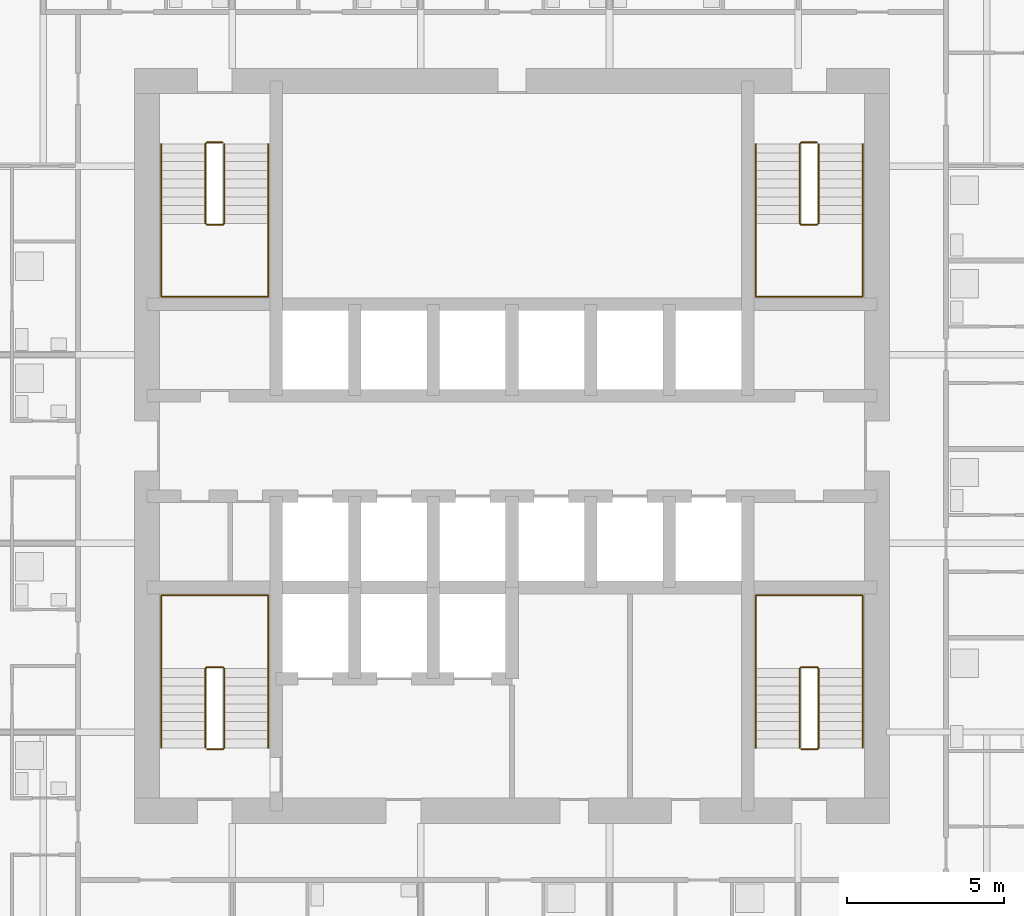
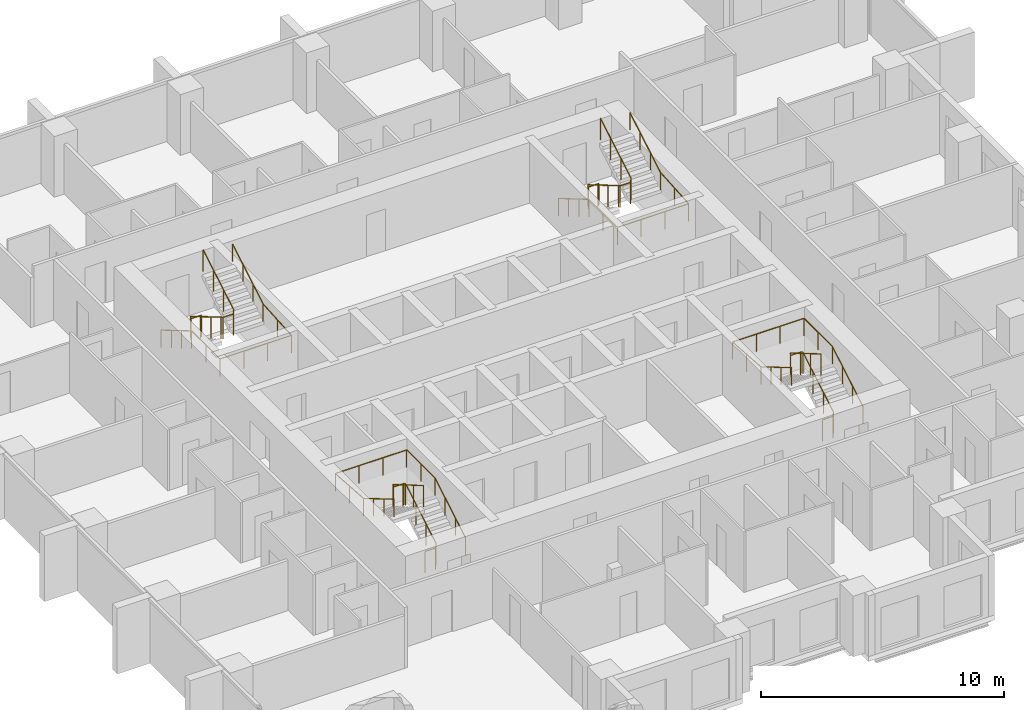
# One storey, part 10 of 11: 8 railings.
"""IFC4 building model written with IfcOpenShell, lengths in metres."""

from ifc_helpers import new_model, si_unit, direction, frame, origin, origin_2d, place, context, subcontext, project, spatial, circle, extrude, material, type_object, element, save


model = new_model("IFC4")

# Units and contexts
model_context = context("Model", 3, precision=1e-05, world=origin(), true_north=direction((0.0, 1.0)))
body_context = subcontext(model_context, "Body", "Model", "MODEL_VIEW")
ifc_project = project(units=[si_unit("LENGTHUNIT", "METRE"), si_unit("AREAUNIT", "SQUARE_METRE"), si_unit("VOLUMEUNIT", "CUBIC_METRE"), si_unit("PLANEANGLEUNIT", "RADIAN"), si_unit("MASSUNIT", "GRAM", prefix="KILO")], contexts=[model_context])

# Site, building, storey
site_placement = place(None, origin())
site = spatial("IfcSite", under=ifc_project, at=site_placement, CompositionType="ELEMENT")
building_placement = place(site_placement, origin())
building = spatial("IfcBuilding", under=site, at=building_placement, Name="Amberfall Residences", CompositionType="ELEMENT")
storey_placement = place(building_placement, frame((0.0, 0.0, 91.89990234375)))
storey = spatial("IfcBuildingStorey", under=building, at=storey_placement, Name="L24", CompositionType="ELEMENT", Elevation=91.89990234375)

# Railings
ifc_material = material(Name="Stainless steel 316", Category="steel")
railing_type_1 = type_object("IfcRailingType", Name="Stair guard 1100", PredefinedType="GUARDRAIL", material=ifc_material)
railing_1_placement = place(storey_placement, frame((64.800048828125, 35.85009765625, 0.0)))
element("IfcRailing", 1, at=railing_1_placement, inside=storey, type_object=railing_type_1, Name="L24 stair 1 guard", PredefinedType="GUARDRAIL", context=body_context, shape_type="SweptSolid", body=[
    extrude(circle(Radius=0.02392578125, at=origin_2d()), frame((0.0, 0.0, 1.076171875), z_axis=(1.0, 0.0, 0.0), x_axis=(0.0, 1.0, 0.0)), (0.0, 0.0, 1.0), 0.5),
    extrude(circle(Radius=0.02392578125, at=origin_2d()), frame((0.5, 0.0, 1.076171875), z_axis=(0.278810427259, 0.277450376394, 0.919394384522), x_axis=(-0.705375805398, 0.708833529934, 0.0)), (0.0, 0.0, 1.0), 0.179443359375),
    extrude(circle(Radius=0.02392578125, at=origin_2d()), frame((0.550048828125, 0.0498046875, 1.2412109375), z_axis=(0.0, 0.86152411907, 0.507716645641), x_axis=(-1.0, 0.0, 0.0)), (0.0, 0.0, 1.0), 2.925048828125),
    extrude(circle(Radius=0.02392578125, at=origin_2d()), frame((0.550048828125, 2.56982421875, 2.72607421875), z_axis=(-0.707106781187, 0.707106781187, 0.0), x_axis=(-0.707106781187, -0.707106781187, 0.0)), (0.0, 0.0, 1.0), 0.07080078125),
    extrude(circle(Radius=0.02392578125, at=origin_2d()), frame((0.5, 2.619873046875, 2.72607421875), z_axis=(-1.0, 0.0, 0.0), x_axis=(0.0, -1.0, 0.0)), (0.0, 0.0, 1.0), 0.5),
    extrude(circle(Radius=0.02392578125, at=origin_2d()), frame((0.0, 2.619873046875, 2.72607421875), z_axis=(-0.278705021027, -0.278705021027, 0.919046801044), x_axis=(0.707106781187, -0.707106781187, 0.0)), (0.0, 0.0, 1.0), 0.1796875),
    extrude(circle(Radius=0.02392578125, at=origin_2d()), frame((-0.050048828125, 2.56982421875, 2.89111328125), z_axis=(0.0, -0.861560626758, 0.507654692109), x_axis=(1.0, 0.0, 0.0)), (0.0, 0.0, 1.0), 2.925048828125),
    extrude(circle(Radius=0.02099609375, at=origin_2d()), origin(), (0.0, 0.0, 1.0), 1.052001953125),
    extrude(circle(Radius=0.02099609375, at=origin_2d()), frame((0.5, 0.0, 0.0)), (0.0, 0.0, 1.0), 1.052001953125),
    extrude(circle(Radius=0.02099609375, at=origin_2d()), frame((0.550048828125, 0.0498046875, 0.1650390625)), (0.0, 0.0, 1.0), 1.052001953125),
    extrude(circle(Radius=0.02099609375, at=origin_2d()), frame((0.550048828125, 0.889892578125, 0.66015625)), (0.0, 0.0, 1.0), 1.052001953125),
    extrude(circle(Radius=0.02099609375, at=origin_2d()), frame((0.550048828125, 1.729736328125, 1.155029296875)), (0.0, 0.0, 1.0), 1.052001953125),
    extrude(circle(Radius=0.02099609375, at=origin_2d()), frame((0.550048828125, 2.56982421875, 1.650146484375)), (0.0, 0.0, 1.0), 1.052001953125),
    extrude(circle(Radius=0.02099609375, at=origin_2d()), frame((0.5, 2.619873046875, 1.650146484375)), (0.0, 0.0, 1.0), 1.052001953125),
    extrude(circle(Radius=0.02099609375, at=origin_2d()), frame((0.0, 2.619873046875, 1.650146484375)), (0.0, 0.0, 1.0), 1.052001953125),
    extrude(circle(Radius=0.02099609375, at=origin_2d()), frame((-0.050048828125, 2.56982421875, 1.815185546875)), (0.0, 0.0, 1.0), 1.052001953125),
    extrude(circle(Radius=0.02099609375, at=origin_2d()), frame((-0.050048828125, 1.729736328125, 2.31005859375)), (0.0, 0.0, 1.0), 1.052001953125),
    extrude(circle(Radius=0.02099609375, at=origin_2d()), frame((-0.050048828125, 0.889892578125, 2.80517578125)), (0.0, 0.0, 1.0), 1.052001953125),
    extrude(circle(Radius=0.02099609375, at=origin_2d()), frame((-0.050048828125, 0.0498046875, 3.300048828125)), (0.0, 0.0, 1.0), 1.052001953125),
])
railing_2_placement = place(storey_placement, frame((83.699951171875, 35.85009765625, 0.0)))
element("IfcRailing", 2, at=railing_2_placement, inside=storey, type_object=railing_type_1, Name="L24 stair 2 guard", PredefinedType="GUARDRAIL", context=body_context, shape_type="SweptSolid", body=[
    extrude(circle(Radius=0.02392578125, at=origin_2d()), frame((0.0, 0.0, 1.076171875), z_axis=(1.0, 0.0, 0.0), x_axis=(0.0, 1.0, 0.0)), (0.0, 0.0, 1.0), 0.5),
    extrude(circle(Radius=0.02392578125, at=origin_2d()), frame((0.5, 0.0, 1.076171875), z_axis=(0.278810427259, 0.277450376394, 0.919394384522), x_axis=(-0.705375805398, 0.708833529934, 0.0)), (0.0, 0.0, 1.0), 0.179443359375),
    extrude(circle(Radius=0.02392578125, at=origin_2d()), frame((0.550048828125, 0.0498046875, 1.2412109375), z_axis=(0.0, 0.86152411907, 0.507716645641), x_axis=(-1.0, 0.0, 0.0)), (0.0, 0.0, 1.0), 2.925048828125),
    extrude(circle(Radius=0.02392578125, at=origin_2d()), frame((0.550048828125, 2.56982421875, 2.72607421875), z_axis=(-0.707106781187, 0.707106781187, 0.0), x_axis=(-0.707106781187, -0.707106781187, 0.0)), (0.0, 0.0, 1.0), 0.07080078125),
    extrude(circle(Radius=0.02392578125, at=origin_2d()), frame((0.5, 2.619873046875, 2.72607421875), z_axis=(-1.0, 0.0, 0.0), x_axis=(0.0, -1.0, 0.0)), (0.0, 0.0, 1.0), 0.5),
    extrude(circle(Radius=0.02392578125, at=origin_2d()), frame((0.0, 2.619873046875, 2.72607421875), z_axis=(-0.278705021027, -0.278705021027, 0.919046801044), x_axis=(0.707106781187, -0.707106781187, 0.0)), (0.0, 0.0, 1.0), 0.1796875),
    extrude(circle(Radius=0.02392578125, at=origin_2d()), frame((-0.050048828125, 2.56982421875, 2.89111328125), z_axis=(0.0, -0.861560626758, 0.507654692109), x_axis=(1.0, 0.0, 0.0)), (0.0, 0.0, 1.0), 2.925048828125),
    extrude(circle(Radius=0.02099609375, at=origin_2d()), origin(), (0.0, 0.0, 1.0), 1.052001953125),
    extrude(circle(Radius=0.02099609375, at=origin_2d()), frame((0.5, 0.0, 0.0)), (0.0, 0.0, 1.0), 1.052001953125),
    extrude(circle(Radius=0.02099609375, at=origin_2d()), frame((0.550048828125, 0.0498046875, 0.1650390625)), (0.0, 0.0, 1.0), 1.052001953125),
    extrude(circle(Radius=0.02099609375, at=origin_2d()), frame((0.550048828125, 0.889892578125, 0.66015625)), (0.0, 0.0, 1.0), 1.052001953125),
    extrude(circle(Radius=0.02099609375, at=origin_2d()), frame((0.550048828125, 1.729736328125, 1.155029296875)), (0.0, 0.0, 1.0), 1.052001953125),
    extrude(circle(Radius=0.02099609375, at=origin_2d()), frame((0.550048828125, 2.56982421875, 1.650146484375)), (0.0, 0.0, 1.0), 1.052001953125),
    extrude(circle(Radius=0.02099609375, at=origin_2d()), frame((0.5, 2.619873046875, 1.650146484375)), (0.0, 0.0, 1.0), 1.052001953125),
    extrude(circle(Radius=0.02099609375, at=origin_2d()), frame((0.0, 2.619873046875, 1.650146484375)), (0.0, 0.0, 1.0), 1.052001953125),
    extrude(circle(Radius=0.02099609375, at=origin_2d()), frame((-0.050048828125, 2.56982421875, 1.815185546875)), (0.0, 0.0, 1.0), 1.052001953125),
    extrude(circle(Radius=0.02099609375, at=origin_2d()), frame((-0.050048828125, 1.729736328125, 2.31005859375)), (0.0, 0.0, 1.0), 1.052001953125),
    extrude(circle(Radius=0.02099609375, at=origin_2d()), frame((-0.050048828125, 0.889892578125, 2.80517578125)), (0.0, 0.0, 1.0), 1.052001953125),
    extrude(circle(Radius=0.02099609375, at=origin_2d()), frame((-0.050048828125, 0.0498046875, 3.300048828125)), (0.0, 0.0, 1.0), 1.052001953125),
])
railing_3_placement = place(storey_placement, frame((84.199951171875, 55.14990234375, 0.0)))
element("IfcRailing", 3, at=railing_3_placement, inside=storey, type_object=railing_type_1, Name="L24 stair 3 guard", PredefinedType="GUARDRAIL", context=body_context, shape_type="SweptSolid", body=[
    extrude(circle(Radius=0.02392578125, at=origin_2d()), frame((0.0, 0.0, 1.076171875), z_axis=(-1.0, 0.0, 0.0), x_axis=(0.0, -1.0, 0.0)), (0.0, 0.0, 1.0), 0.5),
    extrude(circle(Radius=0.02392578125, at=origin_2d()), frame((-0.5, 0.0, 1.076171875), z_axis=(-0.278810427259, -0.277450376394, 0.919394384522), x_axis=(0.705375805398, -0.708833529934, 0.0)), (0.0, 0.0, 1.0), 0.179443359375),
    extrude(circle(Radius=0.02392578125, at=origin_2d()), frame((-0.550048828125, -0.0498046875, 1.2412109375), z_axis=(0.0, -0.86152411907, 0.507716645641), x_axis=(1.0, 0.0, 0.0)), (0.0, 0.0, 1.0), 2.925048828125),
    extrude(circle(Radius=0.02392578125, at=origin_2d()), frame((-0.550048828125, -2.56982421875, 2.72607421875), z_axis=(0.707106781187, -0.707106781187, 0.0), x_axis=(0.707106781187, 0.707106781187, 0.0)), (0.0, 0.0, 1.0), 0.07080078125),
    extrude(circle(Radius=0.02392578125, at=origin_2d()), frame((-0.5, -2.619873046875, 2.72607421875), z_axis=(1.0, 0.0, 0.0), x_axis=(0.0, 1.0, 0.0)), (0.0, 0.0, 1.0), 0.5),
    extrude(circle(Radius=0.02392578125, at=origin_2d()), frame((0.0, -2.619873046875, 2.72607421875), z_axis=(0.278705021027, 0.278705021027, 0.919046801044), x_axis=(-0.707106781187, 0.707106781187, 0.0)), (0.0, 0.0, 1.0), 0.1796875),
    extrude(circle(Radius=0.02392578125, at=origin_2d()), frame((0.050048828125, -2.56982421875, 2.89111328125), z_axis=(0.0, 0.861560626758, 0.507654692109), x_axis=(-1.0, 0.0, 0.0)), (0.0, 0.0, 1.0), 2.925048828125),
    extrude(circle(Radius=0.02099609375, at=origin_2d()), origin(), (0.0, 0.0, 1.0), 1.052001953125),
    extrude(circle(Radius=0.02099609375, at=origin_2d()), frame((-0.5, 0.0, 0.0)), (0.0, 0.0, 1.0), 1.052001953125),
    extrude(circle(Radius=0.02099609375, at=origin_2d()), frame((-0.550048828125, -0.0498046875, 0.1650390625)), (0.0, 0.0, 1.0), 1.052001953125),
    extrude(circle(Radius=0.02099609375, at=origin_2d()), frame((-0.550048828125, -0.889892578125, 0.66015625)), (0.0, 0.0, 1.0), 1.052001953125),
    extrude(circle(Radius=0.02099609375, at=origin_2d()), frame((-0.550048828125, -1.729736328125, 1.155029296875)), (0.0, 0.0, 1.0), 1.052001953125),
    extrude(circle(Radius=0.02099609375, at=origin_2d()), frame((-0.550048828125, -2.56982421875, 1.650146484375)), (0.0, 0.0, 1.0), 1.052001953125),
    extrude(circle(Radius=0.02099609375, at=origin_2d()), frame((-0.5, -2.619873046875, 1.650146484375)), (0.0, 0.0, 1.0), 1.052001953125),
    extrude(circle(Radius=0.02099609375, at=origin_2d()), frame((0.0, -2.619873046875, 1.650146484375)), (0.0, 0.0, 1.0), 1.052001953125),
    extrude(circle(Radius=0.02099609375, at=origin_2d()), frame((0.050048828125, -2.56982421875, 1.815185546875)), (0.0, 0.0, 1.0), 1.052001953125),
    extrude(circle(Radius=0.02099609375, at=origin_2d()), frame((0.050048828125, -1.729736328125, 2.31005859375)), (0.0, 0.0, 1.0), 1.052001953125),
    extrude(circle(Radius=0.02099609375, at=origin_2d()), frame((0.050048828125, -0.889892578125, 2.80517578125)), (0.0, 0.0, 1.0), 1.052001953125),
    extrude(circle(Radius=0.02099609375, at=origin_2d()), frame((0.050048828125, -0.0498046875, 3.300048828125)), (0.0, 0.0, 1.0), 1.052001953125),
])
railing_4_placement = place(storey_placement, frame((65.300048828125, 55.14990234375, 0.0)))
element("IfcRailing", 4, at=railing_4_placement, inside=storey, type_object=railing_type_1, Name="L24 stair 4 guard", PredefinedType="GUARDRAIL", context=body_context, shape_type="SweptSolid", body=[
    extrude(circle(Radius=0.02392578125, at=origin_2d()), frame((0.0, 0.0, 1.076171875), z_axis=(-1.0, 0.0, 0.0), x_axis=(0.0, -1.0, 0.0)), (0.0, 0.0, 1.0), 0.5),
    extrude(circle(Radius=0.02392578125, at=origin_2d()), frame((-0.5, 0.0, 1.076171875), z_axis=(-0.278810427259, -0.277450376394, 0.919394384522), x_axis=(0.705375805398, -0.708833529934, 0.0)), (0.0, 0.0, 1.0), 0.179443359375),
    extrude(circle(Radius=0.02392578125, at=origin_2d()), frame((-0.550048828125, -0.0498046875, 1.2412109375), z_axis=(0.0, -0.86152411907, 0.507716645641), x_axis=(1.0, 0.0, 0.0)), (0.0, 0.0, 1.0), 2.925048828125),
    extrude(circle(Radius=0.02392578125, at=origin_2d()), frame((-0.550048828125, -2.56982421875, 2.72607421875), z_axis=(0.707106781187, -0.707106781187, 0.0), x_axis=(0.707106781187, 0.707106781187, 0.0)), (0.0, 0.0, 1.0), 0.07080078125),
    extrude(circle(Radius=0.02392578125, at=origin_2d()), frame((-0.5, -2.619873046875, 2.72607421875), z_axis=(1.0, 0.0, 0.0), x_axis=(0.0, 1.0, 0.0)), (0.0, 0.0, 1.0), 0.5),
    extrude(circle(Radius=0.02392578125, at=origin_2d()), frame((0.0, -2.619873046875, 2.72607421875), z_axis=(0.278705021027, 0.278705021027, 0.919046801044), x_axis=(-0.707106781187, 0.707106781187, 0.0)), (0.0, 0.0, 1.0), 0.1796875),
    extrude(circle(Radius=0.02392578125, at=origin_2d()), frame((0.050048828125, -2.56982421875, 2.89111328125), z_axis=(0.0, 0.861560626758, 0.507654692109), x_axis=(-1.0, 0.0, 0.0)), (0.0, 0.0, 1.0), 2.925048828125),
    extrude(circle(Radius=0.02099609375, at=origin_2d()), origin(), (0.0, 0.0, 1.0), 1.052001953125),
    extrude(circle(Radius=0.02099609375, at=origin_2d()), frame((-0.5, 0.0, 0.0)), (0.0, 0.0, 1.0), 1.052001953125),
    extrude(circle(Radius=0.02099609375, at=origin_2d()), frame((-0.550048828125, -0.0498046875, 0.1650390625)), (0.0, 0.0, 1.0), 1.052001953125),
    extrude(circle(Radius=0.02099609375, at=origin_2d()), frame((-0.550048828125, -0.889892578125, 0.66015625)), (0.0, 0.0, 1.0), 1.052001953125),
    extrude(circle(Radius=0.02099609375, at=origin_2d()), frame((-0.550048828125, -1.729736328125, 1.155029296875)), (0.0, 0.0, 1.0), 1.052001953125),
    extrude(circle(Radius=0.02099609375, at=origin_2d()), frame((-0.550048828125, -2.56982421875, 1.650146484375)), (0.0, 0.0, 1.0), 1.052001953125),
    extrude(circle(Radius=0.02099609375, at=origin_2d()), frame((-0.5, -2.619873046875, 1.650146484375)), (0.0, 0.0, 1.0), 1.052001953125),
    extrude(circle(Radius=0.02099609375, at=origin_2d()), frame((0.0, -2.619873046875, 1.650146484375)), (0.0, 0.0, 1.0), 1.052001953125),
    extrude(circle(Radius=0.02099609375, at=origin_2d()), frame((0.050048828125, -2.56982421875, 1.815185546875)), (0.0, 0.0, 1.0), 1.052001953125),
    extrude(circle(Radius=0.02099609375, at=origin_2d()), frame((0.050048828125, -1.729736328125, 2.31005859375)), (0.0, 0.0, 1.0), 1.052001953125),
    extrude(circle(Radius=0.02099609375, at=origin_2d()), frame((0.050048828125, -0.889892578125, 2.80517578125)), (0.0, 0.0, 1.0), 1.052001953125),
    extrude(circle(Radius=0.02099609375, at=origin_2d()), frame((0.050048828125, -0.0498046875, 3.300048828125)), (0.0, 0.0, 1.0), 1.052001953125),
])
railing_type_2 = type_object("IfcRailingType", Name="Stair handrail 900", PredefinedType="HANDRAIL", material=ifc_material)
railing_5_placement = place(storey_placement, frame((66.75, 35.89990234375, 0.1650390625)))
element("IfcRailing", 5, at=railing_5_placement, inside=storey, type_object=railing_type_2, Name="L24 stair 1 handrail", PredefinedType="HANDRAIL", context=body_context, shape_type="SweptSolid", body=[
    extrude(circle(Radius=0.02392578125, at=origin_2d()), frame((0.0, 0.0, 0.8759765625), z_axis=(0.0, 0.86152411907, 0.507716645641), x_axis=(-1.0, 0.0, 0.0)), (0.0, 0.0, 1.0), 2.925048828125),
    extrude(circle(Radius=0.02392578125, at=origin_2d()), frame((0.0, 2.52001953125, 2.36083984375), z_axis=(0.0, 1.0, 0.0), x_axis=(-1.0, 0.0, 0.0)), (0.0, 0.0, 1.0), 2.330078125),
    extrude(circle(Radius=0.02392578125, at=origin_2d()), frame((0.0, 4.85009765625, 2.36083984375), z_axis=(-1.0, 0.0, 0.0), x_axis=(0.0, -1.0, 0.0)), (0.0, 0.0, 1.0), 3.39990234375),
    extrude(circle(Radius=0.02392578125, at=origin_2d()), frame((-3.39990234375, 4.85009765625, 2.36083984375), z_axis=(0.0, -0.997500965899, 0.07065283455), x_axis=(1.0, 0.0, 0.0)), (0.0, 0.0, 1.0), 2.3359375),
    extrude(circle(Radius=0.02392578125, at=origin_2d()), frame((-3.39990234375, 2.52001953125, 2.52587890625), z_axis=(0.0, -0.861560626758, 0.507654692109), x_axis=(1.0, 0.0, 0.0)), (0.0, 0.0, 1.0), 2.925048828125),
    extrude(circle(Radius=0.02099609375, at=origin_2d()), origin(), (0.0, 0.0, 1.0), 0.851806640625),
    extrude(circle(Radius=0.02099609375, at=origin_2d()), frame((0.0, 0.840087890625, 0.4951171875)), (0.0, 0.0, 1.0), 0.851806640625),
    extrude(circle(Radius=0.02099609375, at=origin_2d()), frame((0.0, 1.679931640625, 0.989990234375)), (0.0, 0.0, 1.0), 0.851806640625),
    extrude(circle(Radius=0.02099609375, at=origin_2d()), frame((0.0, 2.52001953125, 1.485107421875)), (0.0, 0.0, 1.0), 0.851806640625),
    extrude(circle(Radius=0.02099609375, at=origin_2d()), frame((0.0, 3.68505859375, 1.485107421875)), (0.0, 0.0, 1.0), 0.851806640625),
    extrude(circle(Radius=0.02099609375, at=origin_2d()), frame((0.0, 4.85009765625, 1.485107421875)), (0.0, 0.0, 1.0), 0.851806640625),
    extrude(circle(Radius=0.02099609375, at=origin_2d()), frame((-1.13330078125, 4.85009765625, 1.485107421875)), (0.0, 0.0, 1.0), 0.851806640625),
    extrude(circle(Radius=0.02099609375, at=origin_2d()), frame((-2.2666015625, 4.85009765625, 1.485107421875)), (0.0, 0.0, 1.0), 0.851806640625),
    extrude(circle(Radius=0.02099609375, at=origin_2d()), frame((-3.39990234375, 4.85009765625, 1.485107421875)), (0.0, 0.0, 1.0), 0.851806640625),
    extrude(circle(Radius=0.02099609375, at=origin_2d()), frame((-3.39990234375, 3.68505859375, 1.567626953125)), (0.0, 0.0, 1.0), 0.851806640625),
    extrude(circle(Radius=0.02099609375, at=origin_2d()), frame((-3.39990234375, 2.52001953125, 1.650146484375)), (0.0, 0.0, 1.0), 0.851806640625),
    extrude(circle(Radius=0.02099609375, at=origin_2d()), frame((-3.39990234375, 1.679931640625, 2.14501953125)), (0.0, 0.0, 1.0), 0.851806640625),
    extrude(circle(Radius=0.02099609375, at=origin_2d()), frame((-3.39990234375, 0.840087890625, 2.64013671875)), (0.0, 0.0, 1.0), 0.851806640625),
    extrude(circle(Radius=0.02099609375, at=origin_2d()), frame((-3.39990234375, 0.0, 3.135009765625)), (0.0, 0.0, 1.0), 0.851806640625),
])
railing_6_placement = place(storey_placement, frame((85.64990234375, 35.89990234375, 0.1650390625)))
element("IfcRailing", 6, at=railing_6_placement, inside=storey, type_object=railing_type_2, Name="L24 stair 2 handrail", PredefinedType="HANDRAIL", context=body_context, shape_type="SweptSolid", body=[
    extrude(circle(Radius=0.02392578125, at=origin_2d()), frame((0.0, 0.0, 0.8759765625), z_axis=(0.0, 0.86152411907, 0.507716645641), x_axis=(-1.0, 0.0, 0.0)), (0.0, 0.0, 1.0), 2.925048828125),
    extrude(circle(Radius=0.02392578125, at=origin_2d()), frame((0.0, 2.52001953125, 2.36083984375), z_axis=(0.0, 1.0, 0.0), x_axis=(-1.0, 0.0, 0.0)), (0.0, 0.0, 1.0), 2.330078125),
    extrude(circle(Radius=0.02392578125, at=origin_2d()), frame((0.0, 4.85009765625, 2.36083984375), z_axis=(-1.0, 0.0, 0.0), x_axis=(0.0, -1.0, 0.0)), (0.0, 0.0, 1.0), 3.39990234375),
    extrude(circle(Radius=0.02392578125, at=origin_2d()), frame((-3.39990234375, 4.85009765625, 2.36083984375), z_axis=(0.0, -0.997500965899, 0.07065283455), x_axis=(1.0, 0.0, 0.0)), (0.0, 0.0, 1.0), 2.3359375),
    extrude(circle(Radius=0.02392578125, at=origin_2d()), frame((-3.39990234375, 2.52001953125, 2.52587890625), z_axis=(0.0, -0.861560626758, 0.507654692109), x_axis=(1.0, 0.0, 0.0)), (0.0, 0.0, 1.0), 2.925048828125),
    extrude(circle(Radius=0.02099609375, at=origin_2d()), origin(), (0.0, 0.0, 1.0), 0.851806640625),
    extrude(circle(Radius=0.02099609375, at=origin_2d()), frame((0.0, 0.840087890625, 0.4951171875)), (0.0, 0.0, 1.0), 0.851806640625),
    extrude(circle(Radius=0.02099609375, at=origin_2d()), frame((0.0, 1.679931640625, 0.989990234375)), (0.0, 0.0, 1.0), 0.851806640625),
    extrude(circle(Radius=0.02099609375, at=origin_2d()), frame((0.0, 2.52001953125, 1.485107421875)), (0.0, 0.0, 1.0), 0.851806640625),
    extrude(circle(Radius=0.02099609375, at=origin_2d()), frame((0.0, 3.68505859375, 1.485107421875)), (0.0, 0.0, 1.0), 0.851806640625),
    extrude(circle(Radius=0.02099609375, at=origin_2d()), frame((0.0, 4.85009765625, 1.485107421875)), (0.0, 0.0, 1.0), 0.851806640625),
    extrude(circle(Radius=0.02099609375, at=origin_2d()), frame((-1.13330078125, 4.85009765625, 1.485107421875)), (0.0, 0.0, 1.0), 0.851806640625),
    extrude(circle(Radius=0.02099609375, at=origin_2d()), frame((-2.2666015625, 4.85009765625, 1.485107421875)), (0.0, 0.0, 1.0), 0.851806640625),
    extrude(circle(Radius=0.02099609375, at=origin_2d()), frame((-3.39990234375, 4.85009765625, 1.485107421875)), (0.0, 0.0, 1.0), 0.851806640625),
    extrude(circle(Radius=0.02099609375, at=origin_2d()), frame((-3.39990234375, 3.68505859375, 1.567626953125)), (0.0, 0.0, 1.0), 0.851806640625),
    extrude(circle(Radius=0.02099609375, at=origin_2d()), frame((-3.39990234375, 2.52001953125, 1.650146484375)), (0.0, 0.0, 1.0), 0.851806640625),
    extrude(circle(Radius=0.02099609375, at=origin_2d()), frame((-3.39990234375, 1.679931640625, 2.14501953125)), (0.0, 0.0, 1.0), 0.851806640625),
    extrude(circle(Radius=0.02099609375, at=origin_2d()), frame((-3.39990234375, 0.840087890625, 2.64013671875)), (0.0, 0.0, 1.0), 0.851806640625),
    extrude(circle(Radius=0.02099609375, at=origin_2d()), frame((-3.39990234375, 0.0, 3.135009765625)), (0.0, 0.0, 1.0), 0.851806640625),
])
railing_7_placement = place(storey_placement, frame((82.25, 55.10009765625, 0.1650390625)))
element("IfcRailing", 7, at=railing_7_placement, inside=storey, type_object=railing_type_2, Name="L24 stair 3 handrail", PredefinedType="HANDRAIL", context=body_context, shape_type="SweptSolid", body=[
    extrude(circle(Radius=0.02392578125, at=origin_2d()), frame((0.0, 0.0, 0.8759765625), z_axis=(0.0, -0.86152411907, 0.507716645641), x_axis=(1.0, 0.0, 0.0)), (0.0, 0.0, 1.0), 2.925048828125),
    extrude(circle(Radius=0.02392578125, at=origin_2d()), frame((0.0, -2.52001953125, 2.36083984375), z_axis=(0.0, -1.0, 0.0), x_axis=(1.0, 0.0, 0.0)), (0.0, 0.0, 1.0), 2.330078125),
    extrude(circle(Radius=0.02392578125, at=origin_2d()), frame((0.0, -4.85009765625, 2.36083984375), z_axis=(1.0, 0.0, 0.0), x_axis=(0.0, 1.0, 0.0)), (0.0, 0.0, 1.0), 3.39990234375),
    extrude(circle(Radius=0.02392578125, at=origin_2d()), frame((3.39990234375, -4.85009765625, 2.36083984375), z_axis=(0.0, 0.997500965899, 0.07065283455), x_axis=(-1.0, 0.0, 0.0)), (0.0, 0.0, 1.0), 2.3359375),
    extrude(circle(Radius=0.02392578125, at=origin_2d()), frame((3.39990234375, -2.52001953125, 2.52587890625), z_axis=(0.0, 0.861560626758, 0.507654692109), x_axis=(-1.0, 0.0, 0.0)), (0.0, 0.0, 1.0), 2.925048828125),
    extrude(circle(Radius=0.02099609375, at=origin_2d()), origin(), (0.0, 0.0, 1.0), 0.851806640625),
    extrude(circle(Radius=0.02099609375, at=origin_2d()), frame((0.0, -0.840087890625, 0.4951171875)), (0.0, 0.0, 1.0), 0.851806640625),
    extrude(circle(Radius=0.02099609375, at=origin_2d()), frame((0.0, -1.679931640625, 0.989990234375)), (0.0, 0.0, 1.0), 0.851806640625),
    extrude(circle(Radius=0.02099609375, at=origin_2d()), frame((0.0, -2.52001953125, 1.485107421875)), (0.0, 0.0, 1.0), 0.851806640625),
    extrude(circle(Radius=0.02099609375, at=origin_2d()), frame((0.0, -3.68505859375, 1.485107421875)), (0.0, 0.0, 1.0), 0.851806640625),
    extrude(circle(Radius=0.02099609375, at=origin_2d()), frame((0.0, -4.85009765625, 1.485107421875)), (0.0, 0.0, 1.0), 0.851806640625),
    extrude(circle(Radius=0.02099609375, at=origin_2d()), frame((1.13330078125, -4.85009765625, 1.485107421875)), (0.0, 0.0, 1.0), 0.851806640625),
    extrude(circle(Radius=0.02099609375, at=origin_2d()), frame((2.2666015625, -4.85009765625, 1.485107421875)), (0.0, 0.0, 1.0), 0.851806640625),
    extrude(circle(Radius=0.02099609375, at=origin_2d()), frame((3.39990234375, -4.85009765625, 1.485107421875)), (0.0, 0.0, 1.0), 0.851806640625),
    extrude(circle(Radius=0.02099609375, at=origin_2d()), frame((3.39990234375, -3.68505859375, 1.567626953125)), (0.0, 0.0, 1.0), 0.851806640625),
    extrude(circle(Radius=0.02099609375, at=origin_2d()), frame((3.39990234375, -2.52001953125, 1.650146484375)), (0.0, 0.0, 1.0), 0.851806640625),
    extrude(circle(Radius=0.02099609375, at=origin_2d()), frame((3.39990234375, -1.679931640625, 2.14501953125)), (0.0, 0.0, 1.0), 0.851806640625),
    extrude(circle(Radius=0.02099609375, at=origin_2d()), frame((3.39990234375, -0.840087890625, 2.64013671875)), (0.0, 0.0, 1.0), 0.851806640625),
    extrude(circle(Radius=0.02099609375, at=origin_2d()), frame((3.39990234375, 0.0, 3.135009765625)), (0.0, 0.0, 1.0), 0.851806640625),
])
railing_8_placement = place(storey_placement, frame((63.35009765625, 55.10009765625, 0.1650390625)))
element("IfcRailing", 8, at=railing_8_placement, inside=storey, type_object=railing_type_2, Name="L24 stair 4 handrail", PredefinedType="HANDRAIL", context=body_context, shape_type="SweptSolid", body=[
    extrude(circle(Radius=0.02392578125, at=origin_2d()), frame((0.0, 0.0, 0.8759765625), z_axis=(0.0, -0.86152411907, 0.507716645641), x_axis=(1.0, 0.0, 0.0)), (0.0, 0.0, 1.0), 2.925048828125),
    extrude(circle(Radius=0.02392578125, at=origin_2d()), frame((0.0, -2.52001953125, 2.36083984375), z_axis=(0.0, -1.0, 0.0), x_axis=(1.0, 0.0, 0.0)), (0.0, 0.0, 1.0), 2.330078125),
    extrude(circle(Radius=0.02392578125, at=origin_2d()), frame((0.0, -4.85009765625, 2.36083984375), z_axis=(1.0, 0.0, 0.0), x_axis=(0.0, 1.0, 0.0)), (0.0, 0.0, 1.0), 3.39990234375),
    extrude(circle(Radius=0.02392578125, at=origin_2d()), frame((3.39990234375, -4.85009765625, 2.36083984375), z_axis=(0.0, 0.997500965899, 0.07065283455), x_axis=(-1.0, 0.0, 0.0)), (0.0, 0.0, 1.0), 2.3359375),
    extrude(circle(Radius=0.02392578125, at=origin_2d()), frame((3.39990234375, -2.52001953125, 2.52587890625), z_axis=(0.0, 0.861560626758, 0.507654692109), x_axis=(-1.0, 0.0, 0.0)), (0.0, 0.0, 1.0), 2.925048828125),
    extrude(circle(Radius=0.02099609375, at=origin_2d()), origin(), (0.0, 0.0, 1.0), 0.851806640625),
    extrude(circle(Radius=0.02099609375, at=origin_2d()), frame((0.0, -0.840087890625, 0.4951171875)), (0.0, 0.0, 1.0), 0.851806640625),
    extrude(circle(Radius=0.02099609375, at=origin_2d()), frame((0.0, -1.679931640625, 0.989990234375)), (0.0, 0.0, 1.0), 0.851806640625),
    extrude(circle(Radius=0.02099609375, at=origin_2d()), frame((0.0, -2.52001953125, 1.485107421875)), (0.0, 0.0, 1.0), 0.851806640625),
    extrude(circle(Radius=0.02099609375, at=origin_2d()), frame((0.0, -3.68505859375, 1.485107421875)), (0.0, 0.0, 1.0), 0.851806640625),
    extrude(circle(Radius=0.02099609375, at=origin_2d()), frame((0.0, -4.85009765625, 1.485107421875)), (0.0, 0.0, 1.0), 0.851806640625),
    extrude(circle(Radius=0.02099609375, at=origin_2d()), frame((1.13330078125, -4.85009765625, 1.485107421875)), (0.0, 0.0, 1.0), 0.851806640625),
    extrude(circle(Radius=0.02099609375, at=origin_2d()), frame((2.2666015625, -4.85009765625, 1.485107421875)), (0.0, 0.0, 1.0), 0.851806640625),
    extrude(circle(Radius=0.02099609375, at=origin_2d()), frame((3.39990234375, -4.85009765625, 1.485107421875)), (0.0, 0.0, 1.0), 0.851806640625),
    extrude(circle(Radius=0.02099609375, at=origin_2d()), frame((3.39990234375, -3.68505859375, 1.567626953125)), (0.0, 0.0, 1.0), 0.851806640625),
    extrude(circle(Radius=0.02099609375, at=origin_2d()), frame((3.39990234375, -2.52001953125, 1.650146484375)), (0.0, 0.0, 1.0), 0.851806640625),
    extrude(circle(Radius=0.02099609375, at=origin_2d()), frame((3.39990234375, -1.679931640625, 2.14501953125)), (0.0, 0.0, 1.0), 0.851806640625),
    extrude(circle(Radius=0.02099609375, at=origin_2d()), frame((3.39990234375, -0.840087890625, 2.64013671875)), (0.0, 0.0, 1.0), 0.851806640625),
    extrude(circle(Radius=0.02099609375, at=origin_2d()), frame((3.39990234375, 0.0, 3.135009765625)), (0.0, 0.0, 1.0), 0.851806640625),
])

save(model, "model.ifc")
